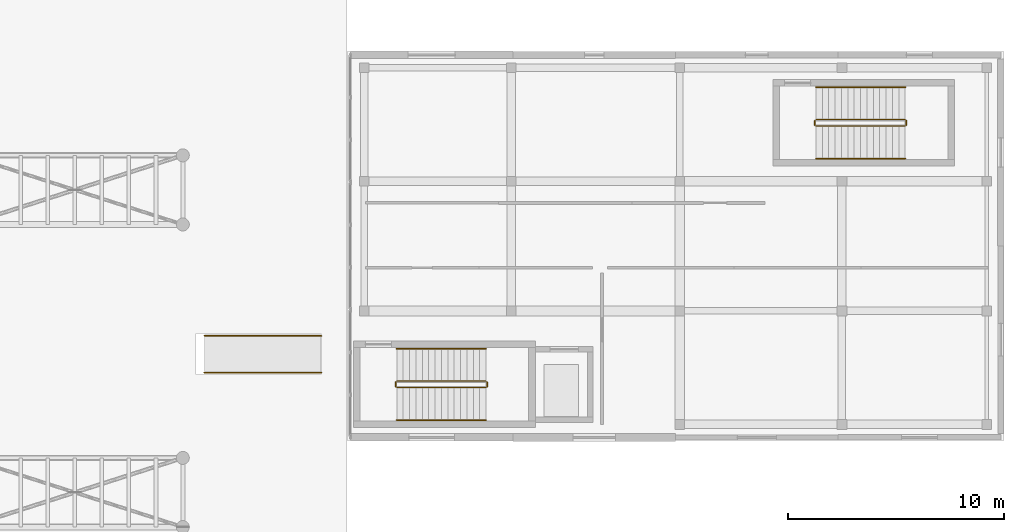
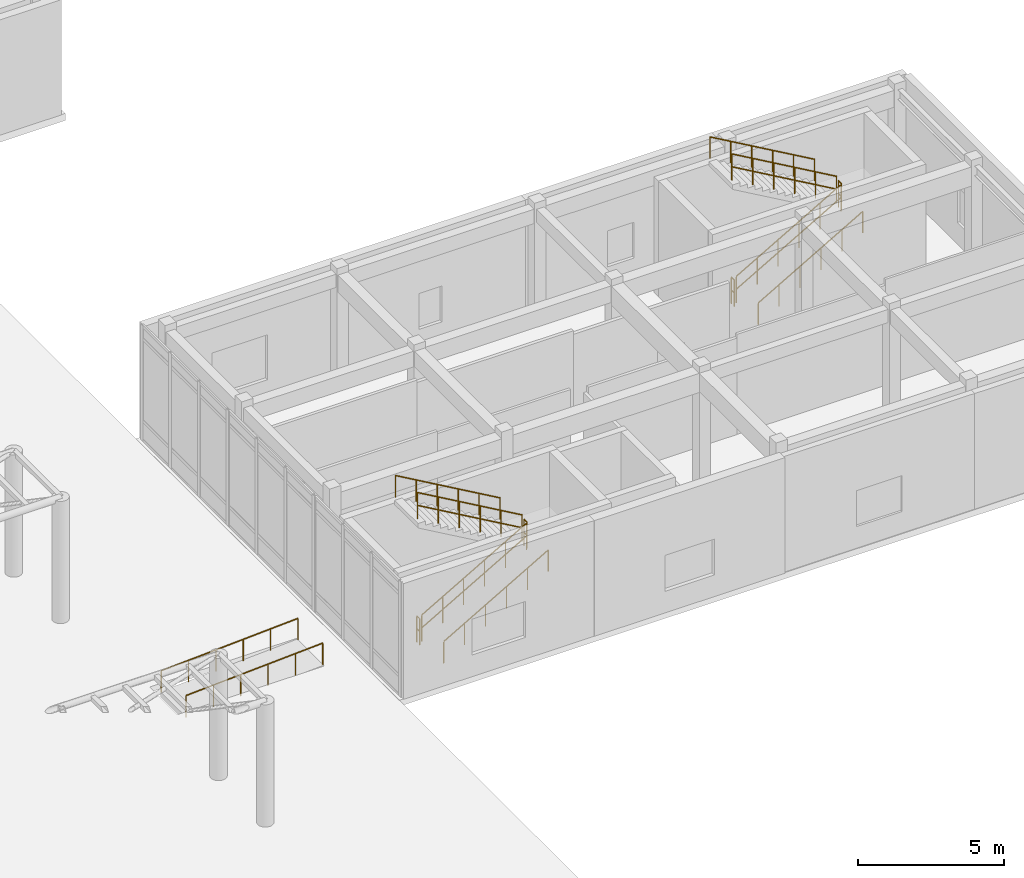
# One storey, part 120 of 121: 14 railings.
"""IFC4 building model written with IfcOpenShell, lengths in metres."""

from ifc_helpers import new_model, si_unit, direction, frame, origin, origin_2d, place, context, subcontext, project, spatial, circle, extrude, material, type_object, element, save


model = new_model("IFC4")

# Units and contexts
model_context = context("Model", 3, precision=1e-05, world=origin(), true_north=direction((0.0, 1.0)))
body_context = subcontext(model_context, "Body", "Model", "MODEL_VIEW")
ifc_project = project(units=[si_unit("LENGTHUNIT", "METRE"), si_unit("AREAUNIT", "SQUARE_METRE"), si_unit("VOLUMEUNIT", "CUBIC_METRE"), si_unit("PLANEANGLEUNIT", "RADIAN"), si_unit("MASSUNIT", "GRAM", prefix="KILO")], contexts=[model_context])

# Site, building, storey
site_placement = place(None, origin())
site = spatial("IfcSite", under=ifc_project, at=site_placement, CompositionType="ELEMENT")
building_placement = place(site_placement, origin())
building = spatial("IfcBuilding", under=site, at=building_placement, Name="Valcora Specialist Clinic", CompositionType="ELEMENT")
storey_placement = place(building_placement, origin())
storey = spatial("IfcBuildingStorey", under=building, at=storey_placement, Name="L00", CompositionType="ELEMENT", Elevation=0.0)

# Railings
ifc_material = material(Name="Stainless Steel AISI 316", Category="steel")
railing_type_1 = type_object("IfcRailingType", Name="TY-RL-GRD112", PredefinedType="GUARDRAIL", material=ifc_material)
railing_1_placement = place(storey_placement, frame((133.89990234375, 40.449951171875, 0.169921875)))
element("IfcRailing", 1, at=railing_1_placement, inside=storey, type_object=railing_type_1, Name="L00 ST-V3A stair guard 1", PredefinedType="GUARDRAIL", context=body_context, shape_type="SweptSolid", body=[
    extrude(circle(Radius=0.02392578125, at=origin_2d()), frame((0.0, 0.0, 1.09619140625), z_axis=(0.866425082981, 0.0, 0.499307095465), x_axis=(0.0, 1.0, 0.0)), (0.0, 0.0, 1.0), 4.766845703125),
    extrude(circle(Radius=0.02392578125, at=origin_2d()), frame((0.0, 0.0, 0.56005859375), z_axis=(0.866425082981, 0.0, 0.499307095465), x_axis=(0.0, 1.0, 0.0)), (0.0, 0.0, 1.0), 4.766845703125),
    extrude(circle(Radius=0.02099609375, at=origin_2d()), origin(), (0.0, 0.0, 1.0), 1.072021484375),
    extrude(circle(Radius=0.02099609375, at=origin_2d()), frame((0.825927734375, 0.0, 0.47607421875)), (0.0, 0.0, 1.0), 1.072021484375),
    extrude(circle(Radius=0.02099609375, at=origin_2d()), frame((1.652099609375, 0.0, 0.9521484375)), (0.0, 0.0, 1.0), 1.072021484375),
    extrude(circle(Radius=0.02099609375, at=origin_2d()), frame((2.47802734375, 0.0, 1.427978515625)), (0.0, 0.0, 1.0), 1.072021484375),
    extrude(circle(Radius=0.02099609375, at=origin_2d()), frame((3.30419921875, 0.0, 1.904052734375)), (0.0, 0.0, 1.0), 1.072021484375),
    extrude(circle(Radius=0.02099609375, at=origin_2d()), frame((4.130126953125, 0.0, 2.380126953125)), (0.0, 0.0, 1.0), 1.072021484375),
])
railing_2_placement = place(storey_placement, frame((138.080078125, 40.5, 2.550048828125)))
element("IfcRailing", 2, at=railing_2_placement, inside=storey, type_object=railing_type_1, Name="L00 ST-V3A stair guard 2", PredefinedType="GUARDRAIL", context=body_context, shape_type="SweptSolid", body=[
    extrude(circle(Radius=0.02392578125, at=origin_2d()), frame((0.0, 0.0, 1.09619140625), z_axis=(0.0, 1.0, 0.0), x_axis=(-1.0, 0.0, 0.0)), (0.0, 0.0, 1.0), 0.199951171875),
    extrude(circle(Radius=0.02392578125, at=origin_2d()), frame((0.0, 0.0, 0.56005859375), z_axis=(0.0, 1.0, 0.0), x_axis=(-1.0, 0.0, 0.0)), (0.0, 0.0, 1.0), 0.199951171875),
    extrude(circle(Radius=0.02099609375, at=origin_2d()), origin(), (0.0, 0.0, 1.0), 1.072021484375),
    extrude(circle(Radius=0.02099609375, at=origin_2d()), frame((0.0, 0.199951171875, 0.0)), (0.0, 0.0, 1.0), 1.072021484375),
])
railing_3_placement = place(storey_placement, frame((138.030029296875, 40.75, 2.719970703125)))
element("IfcRailing", 3, at=railing_3_placement, inside=storey, type_object=railing_type_1, Name="L00 ST-V3A stair guard 3", PredefinedType="GUARDRAIL", context=body_context, shape_type="SweptSolid", body=[
    extrude(circle(Radius=0.02392578125, at=origin_2d()), frame((0.0, 0.0, 1.09619140625), z_axis=(-0.866425082981, 0.0, 0.499307095465), x_axis=(0.0, -1.0, 0.0)), (0.0, 0.0, 1.0), 4.766845703125),
    extrude(circle(Radius=0.02392578125, at=origin_2d()), frame((0.0, 0.0, 0.56005859375), z_axis=(-0.866425082981, 0.0, 0.499307095465), x_axis=(0.0, -1.0, 0.0)), (0.0, 0.0, 1.0), 4.766845703125),
    extrude(circle(Radius=0.02099609375, at=origin_2d()), origin(), (0.0, 0.0, 1.0), 1.072021484375),
    extrude(circle(Radius=0.02099609375, at=origin_2d()), frame((-0.825927734375, 0.0, 0.47607421875)), (0.0, 0.0, 1.0), 1.072021484375),
    extrude(circle(Radius=0.02099609375, at=origin_2d()), frame((-1.652099609375, 0.0, 0.9521484375)), (0.0, 0.0, 1.0), 1.072021484375),
    extrude(circle(Radius=0.02099609375, at=origin_2d()), frame((-2.47802734375, 0.0, 1.427978515625)), (0.0, 0.0, 1.0), 1.072021484375),
    extrude(circle(Radius=0.02099609375, at=origin_2d()), frame((-3.30419921875, 0.0, 1.904052734375)), (0.0, 0.0, 1.0), 1.072021484375),
    extrude(circle(Radius=0.02099609375, at=origin_2d()), frame((-4.130126953125, 0.0, 2.380126953125)), (0.0, 0.0, 1.0), 1.072021484375),
])
railing_4_placement = place(storey_placement, frame((133.85009765625, 40.5, 0.0)))
element("IfcRailing", 4, at=railing_4_placement, inside=storey, type_object=railing_type_1, Name="L00 ST-V3A stair guard 4", PredefinedType="GUARDRAIL", context=body_context, shape_type="SweptSolid", body=[
    extrude(circle(Radius=0.02392578125, at=origin_2d()), frame((0.0, 0.0, 1.09619140625), z_axis=(0.0, 1.0, 0.0), x_axis=(-1.0, 0.0, 0.0)), (0.0, 0.0, 1.0), 0.199951171875),
    extrude(circle(Radius=0.02392578125, at=origin_2d()), frame((0.0, 0.0, 0.56005859375), z_axis=(0.0, 1.0, 0.0), x_axis=(-1.0, 0.0, 0.0)), (0.0, 0.0, 1.0), 0.199951171875),
    extrude(circle(Radius=0.02099609375, at=origin_2d()), origin(), (0.0, 0.0, 1.0), 1.072021484375),
    extrude(circle(Radius=0.02099609375, at=origin_2d()), frame((0.0, 0.199951171875, 0.0)), (0.0, 0.0, 1.0), 1.072021484375),
])
railing_5_placement = place(storey_placement, frame((153.300048828125, 52.550048828125, 0.169921875)))
element("IfcRailing", 5, at=railing_5_placement, inside=storey, type_object=railing_type_1, Name="L00 ST-V3B stair guard 1", PredefinedType="GUARDRAIL", context=body_context, shape_type="SweptSolid", body=[
    extrude(circle(Radius=0.02392578125, at=origin_2d()), frame((0.0, 0.0, 1.09619140625), z_axis=(0.866412313535, 0.0, 0.499329253053), x_axis=(0.0, 1.0, 0.0)), (0.0, 0.0, 1.0), 4.7666015625),
    extrude(circle(Radius=0.02392578125, at=origin_2d()), frame((0.0, 0.0, 0.56005859375), z_axis=(0.866412313535, 0.0, 0.499329253053), x_axis=(0.0, 1.0, 0.0)), (0.0, 0.0, 1.0), 4.7666015625),
    extrude(circle(Radius=0.02099609375, at=origin_2d()), origin(), (0.0, 0.0, 1.0), 1.072021484375),
    extrude(circle(Radius=0.02099609375, at=origin_2d()), frame((0.825927734375, 0.0, 0.47607421875)), (0.0, 0.0, 1.0), 1.072021484375),
    extrude(circle(Radius=0.02099609375, at=origin_2d()), frame((1.65185546875, 0.0, 0.9521484375)), (0.0, 0.0, 1.0), 1.072021484375),
    extrude(circle(Radius=0.02099609375, at=origin_2d()), frame((2.47802734375, 0.0, 1.427978515625)), (0.0, 0.0, 1.0), 1.072021484375),
    extrude(circle(Radius=0.02099609375, at=origin_2d()), frame((3.303955078125, 0.0, 1.904052734375)), (0.0, 0.0, 1.0), 1.072021484375),
    extrude(circle(Radius=0.02099609375, at=origin_2d()), frame((4.1298828125, 0.0, 2.380126953125)), (0.0, 0.0, 1.0), 1.072021484375),
])
railing_6_placement = place(storey_placement, frame((157.47998046875, 52.60009765625, 2.550048828125)))
element("IfcRailing", 6, at=railing_6_placement, inside=storey, type_object=railing_type_1, Name="L00 ST-V3B stair guard 2", PredefinedType="GUARDRAIL", context=body_context, shape_type="SweptSolid", body=[
    extrude(circle(Radius=0.02392578125, at=origin_2d()), frame((0.0, 0.0, 1.09619140625), z_axis=(0.0, 1.0, 0.0), x_axis=(-1.0, 0.0, 0.0)), (0.0, 0.0, 1.0), 0.199951171875),
    extrude(circle(Radius=0.02392578125, at=origin_2d()), frame((0.0, 0.0, 0.56005859375), z_axis=(0.0, 1.0, 0.0), x_axis=(-1.0, 0.0, 0.0)), (0.0, 0.0, 1.0), 0.199951171875),
    extrude(circle(Radius=0.02099609375, at=origin_2d()), origin(), (0.0, 0.0, 1.0), 1.072021484375),
    extrude(circle(Radius=0.02099609375, at=origin_2d()), frame((0.0, 0.199951171875, 0.0)), (0.0, 0.0, 1.0), 1.072021484375),
])
railing_7_placement = place(storey_placement, frame((157.429931640625, 52.85009765625, 2.719970703125)))
element("IfcRailing", 7, at=railing_7_placement, inside=storey, type_object=railing_type_1, Name="L00 ST-V3B stair guard 3", PredefinedType="GUARDRAIL", context=body_context, shape_type="SweptSolid", body=[
    extrude(circle(Radius=0.02392578125, at=origin_2d()), frame((0.0, 0.0, 1.09619140625), z_axis=(-0.866412313535, 0.0, 0.499329253053), x_axis=(0.0, -1.0, 0.0)), (0.0, 0.0, 1.0), 4.7666015625),
    extrude(circle(Radius=0.02392578125, at=origin_2d()), frame((0.0, 0.0, 0.56005859375), z_axis=(-0.866412313535, 0.0, 0.499329253053), x_axis=(0.0, -1.0, 0.0)), (0.0, 0.0, 1.0), 4.7666015625),
    extrude(circle(Radius=0.02099609375, at=origin_2d()), origin(), (0.0, 0.0, 1.0), 1.072021484375),
    extrude(circle(Radius=0.02099609375, at=origin_2d()), frame((-0.825927734375, 0.0, 0.47607421875)), (0.0, 0.0, 1.0), 1.072021484375),
    extrude(circle(Radius=0.02099609375, at=origin_2d()), frame((-1.65185546875, 0.0, 0.9521484375)), (0.0, 0.0, 1.0), 1.072021484375),
    extrude(circle(Radius=0.02099609375, at=origin_2d()), frame((-2.47802734375, 0.0, 1.427978515625)), (0.0, 0.0, 1.0), 1.072021484375),
    extrude(circle(Radius=0.02099609375, at=origin_2d()), frame((-3.303955078125, 0.0, 1.904052734375)), (0.0, 0.0, 1.0), 1.072021484375),
    extrude(circle(Radius=0.02099609375, at=origin_2d()), frame((-4.1298828125, 0.0, 2.380126953125)), (0.0, 0.0, 1.0), 1.072021484375),
])
railing_8_placement = place(storey_placement, frame((153.25, 52.60009765625, 0.0)))
element("IfcRailing", 8, at=railing_8_placement, inside=storey, type_object=railing_type_1, Name="L00 ST-V3B stair guard 4", PredefinedType="GUARDRAIL", context=body_context, shape_type="SweptSolid", body=[
    extrude(circle(Radius=0.02392578125, at=origin_2d()), frame((0.0, 0.0, 1.09619140625), z_axis=(0.0, 1.0, 0.0), x_axis=(-1.0, 0.0, 0.0)), (0.0, 0.0, 1.0), 0.199951171875),
    extrude(circle(Radius=0.02392578125, at=origin_2d()), frame((0.0, 0.0, 0.56005859375), z_axis=(0.0, 1.0, 0.0), x_axis=(-1.0, 0.0, 0.0)), (0.0, 0.0, 1.0), 0.199951171875),
    extrude(circle(Radius=0.02099609375, at=origin_2d()), origin(), (0.0, 0.0, 1.0), 1.072021484375),
    extrude(circle(Radius=0.02099609375, at=origin_2d()), frame((0.0, 0.199951171875, 0.0)), (0.0, 0.0, 1.0), 1.072021484375),
])
railing_type_2 = type_object("IfcRailingType", Name="TY-RL-HND092", PredefinedType="HANDRAIL", material=ifc_material)
railing_9_placement = place(storey_placement, frame((133.89990234375, 38.949951171875, 0.169921875)))
element("IfcRailing", 9, at=railing_9_placement, inside=storey, type_object=railing_type_2, Name="L00 ST-V3A stair handrail 1", PredefinedType="HANDRAIL", context=body_context, shape_type="SweptSolid", body=[
    extrude(circle(Radius=0.02392578125, at=origin_2d()), frame((0.0, 0.0, 0.89599609375), z_axis=(0.866425082981, 0.0, 0.499307095465), x_axis=(0.0, 1.0, 0.0)), (0.0, 0.0, 1.0), 4.766845703125),
    extrude(circle(Radius=0.02099609375, at=origin_2d()), origin(), (0.0, 0.0, 1.0), 0.871826171875),
    extrude(circle(Radius=0.02099609375, at=origin_2d()), frame((0.825927734375, 0.0, 0.47607421875)), (0.0, 0.0, 1.0), 0.871826171875),
    extrude(circle(Radius=0.02099609375, at=origin_2d()), frame((1.652099609375, 0.0, 0.9521484375)), (0.0, 0.0, 1.0), 0.871826171875),
    extrude(circle(Radius=0.02099609375, at=origin_2d()), frame((2.47802734375, 0.0, 1.427978515625)), (0.0, 0.0, 1.0), 0.871826171875),
    extrude(circle(Radius=0.02099609375, at=origin_2d()), frame((3.30419921875, 0.0, 1.904052734375)), (0.0, 0.0, 1.0), 0.871826171875),
    extrude(circle(Radius=0.02099609375, at=origin_2d()), frame((4.130126953125, 0.0, 2.380126953125)), (0.0, 0.0, 1.0), 0.871826171875),
])
railing_10_placement = place(storey_placement, frame((138.030029296875, 42.25, 2.719970703125)))
element("IfcRailing", 10, at=railing_10_placement, inside=storey, type_object=railing_type_2, Name="L00 ST-V3A stair handrail 2", PredefinedType="HANDRAIL", context=body_context, shape_type="SweptSolid", body=[
    extrude(circle(Radius=0.02392578125, at=origin_2d()), frame((0.0, 0.0, 0.89599609375), z_axis=(-0.866425082981, 0.0, 0.499307095465), x_axis=(0.0, -1.0, 0.0)), (0.0, 0.0, 1.0), 4.766845703125),
    extrude(circle(Radius=0.02099609375, at=origin_2d()), origin(), (0.0, 0.0, 1.0), 0.871826171875),
    extrude(circle(Radius=0.02099609375, at=origin_2d()), frame((-0.825927734375, 0.0, 0.47607421875)), (0.0, 0.0, 1.0), 0.871826171875),
    extrude(circle(Radius=0.02099609375, at=origin_2d()), frame((-1.652099609375, 0.0, 0.9521484375)), (0.0, 0.0, 1.0), 0.871826171875),
    extrude(circle(Radius=0.02099609375, at=origin_2d()), frame((-2.47802734375, 0.0, 1.427978515625)), (0.0, 0.0, 1.0), 0.871826171875),
    extrude(circle(Radius=0.02099609375, at=origin_2d()), frame((-3.30419921875, 0.0, 1.904052734375)), (0.0, 0.0, 1.0), 0.871826171875),
    extrude(circle(Radius=0.02099609375, at=origin_2d()), frame((-4.130126953125, 0.0, 2.380126953125)), (0.0, 0.0, 1.0), 0.871826171875),
])
railing_11_placement = place(storey_placement, frame((153.300048828125, 51.050048828125, 0.169921875)))
element("IfcRailing", 11, at=railing_11_placement, inside=storey, type_object=railing_type_2, Name="L00 ST-V3B stair handrail 1", PredefinedType="HANDRAIL", context=body_context, shape_type="SweptSolid", body=[
    extrude(circle(Radius=0.02392578125, at=origin_2d()), frame((0.0, 0.0, 0.89599609375), z_axis=(0.866412313535, 0.0, 0.499329253053), x_axis=(0.0, 1.0, 0.0)), (0.0, 0.0, 1.0), 4.7666015625),
    extrude(circle(Radius=0.02099609375, at=origin_2d()), origin(), (0.0, 0.0, 1.0), 0.871826171875),
    extrude(circle(Radius=0.02099609375, at=origin_2d()), frame((0.825927734375, 0.0, 0.47607421875)), (0.0, 0.0, 1.0), 0.871826171875),
    extrude(circle(Radius=0.02099609375, at=origin_2d()), frame((1.65185546875, 0.0, 0.9521484375)), (0.0, 0.0, 1.0), 0.871826171875),
    extrude(circle(Radius=0.02099609375, at=origin_2d()), frame((2.47802734375, 0.0, 1.427978515625)), (0.0, 0.0, 1.0), 0.871826171875),
    extrude(circle(Radius=0.02099609375, at=origin_2d()), frame((3.303955078125, 0.0, 1.904052734375)), (0.0, 0.0, 1.0), 0.871826171875),
    extrude(circle(Radius=0.02099609375, at=origin_2d()), frame((4.1298828125, 0.0, 2.380126953125)), (0.0, 0.0, 1.0), 0.871826171875),
])
railing_12_placement = place(storey_placement, frame((157.429931640625, 54.35009765625, 2.719970703125)))
element("IfcRailing", 12, at=railing_12_placement, inside=storey, type_object=railing_type_2, Name="L00 ST-V3B stair handrail 2", PredefinedType="HANDRAIL", context=body_context, shape_type="SweptSolid", body=[
    extrude(circle(Radius=0.02392578125, at=origin_2d()), frame((0.0, 0.0, 0.89599609375), z_axis=(-0.866412313535, 0.0, 0.499329253053), x_axis=(0.0, -1.0, 0.0)), (0.0, 0.0, 1.0), 4.7666015625),
    extrude(circle(Radius=0.02099609375, at=origin_2d()), origin(), (0.0, 0.0, 1.0), 0.871826171875),
    extrude(circle(Radius=0.02099609375, at=origin_2d()), frame((-0.825927734375, 0.0, 0.47607421875)), (0.0, 0.0, 1.0), 0.871826171875),
    extrude(circle(Radius=0.02099609375, at=origin_2d()), frame((-1.65185546875, 0.0, 0.9521484375)), (0.0, 0.0, 1.0), 0.871826171875),
    extrude(circle(Radius=0.02099609375, at=origin_2d()), frame((-2.47802734375, 0.0, 1.427978515625)), (0.0, 0.0, 1.0), 0.871826171875),
    extrude(circle(Radius=0.02099609375, at=origin_2d()), frame((-3.303955078125, 0.0, 1.904052734375)), (0.0, 0.0, 1.0), 0.871826171875),
    extrude(circle(Radius=0.02099609375, at=origin_2d()), frame((-4.1298828125, 0.0, 2.380126953125)), (0.0, 0.0, 1.0), 0.871826171875),
])
for number, where, name in (
    (13, (125.0, 41.14990234375, -0.300048828125), "Ramp handrail RM-PED-04 L"),
    (14, (125.0, 42.85009765625, -0.300048828125), "Ramp handrail RM-PED-04 R"),
):
    element("IfcRailing", number, at=place(storey_placement, frame(where)), inside=storey, type_object=railing_type_2, Name=name, PredefinedType="HANDRAIL", context=body_context, shape_type="SweptSolid", body=[
        extrude(circle(Radius=0.02392578125, at=origin_2d()), frame((0.0, 0.0, 0.89599609375), z_axis=(0.998459797556, 0.0, 0.0554800204), x_axis=(0.0, 1.0, 0.0)), (0.0, 0.0, 1.0), 5.408203125),
        extrude(circle(Radius=0.02099609375, at=origin_2d()), origin(), (0.0, 0.0, 1.0), 0.871826171875),
        extrude(circle(Radius=0.02099609375, at=origin_2d()), frame((1.080078125, 0.0, 0.06005859375)), (0.0, 0.0, 1.0), 0.871826171875),
        extrude(circle(Radius=0.02099609375, at=origin_2d()), frame((2.159912109375, 0.0, 0.1201171875)), (0.0, 0.0, 1.0), 0.871826171875),
        extrude(circle(Radius=0.02099609375, at=origin_2d()), frame((3.239990234375, 0.0, 0.179931640625)), (0.0, 0.0, 1.0), 0.871826171875),
        extrude(circle(Radius=0.02099609375, at=origin_2d()), frame((4.31982421875, 0.0, 0.239990234375)), (0.0, 0.0, 1.0), 0.871826171875),
        extrude(circle(Radius=0.02099609375, at=origin_2d()), frame((5.39990234375, 0.0, 0.300048828125)), (0.0, 0.0, 1.0), 0.871826171875),
    ])

save(model, "model.ifc")
